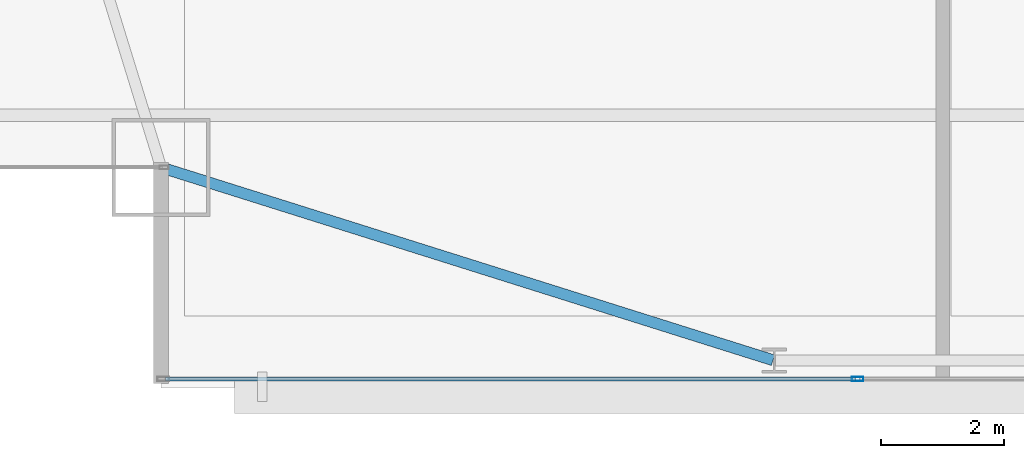
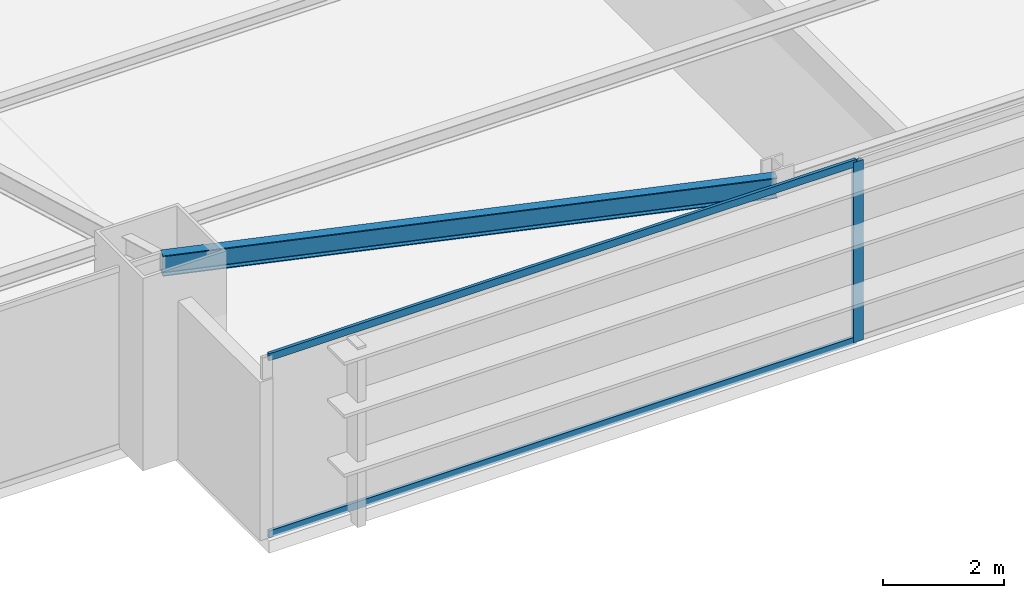
# One storey, part 4 of 35: 3 members, 1 beam, 1 element without a shape of its own.
"""IFC4 building model written with IfcOpenShell, lengths in metres."""

from ifc_helpers import new_model, si_unit, direction, frame, origin, origin_2d, place, context, subcontext, project, spatial, hollow_rectangle, i_section, extrude, source, transform, mapped, material, layer, layer_set, material_profile, profile_set, type_object, type_shapes, element, aggregate, save


model = new_model("IFC4")

# Units and contexts
model_context = context("Model", 3, precision=1e-05, world=origin(), true_north=direction((0.0, 1.0)))
body_context = subcontext(model_context, "Body", "Model", "MODEL_VIEW")
ifc_project = project(units=[si_unit("LENGTHUNIT", "METRE"), si_unit("AREAUNIT", "SQUARE_METRE"), si_unit("VOLUMEUNIT", "CUBIC_METRE"), si_unit("PLANEANGLEUNIT", "RADIAN"), si_unit("MASSUNIT", "GRAM", prefix="KILO")], contexts=[model_context])

# Site, building, storey
site_placement = place(None, origin())
site = spatial("IfcSite", under=ifc_project, at=site_placement, CompositionType="ELEMENT")
building_placement = place(site_placement, origin())
building = spatial("IfcBuilding", under=site, at=building_placement, Name="Varnel Quay Broadcast Tower", CompositionType="ELEMENT")
storey_placement = place(building_placement, frame((0.0, 0.0, 31.5)))
storey = spatial("IfcBuildingStorey", under=building, at=storey_placement, Name="L06", CompositionType="ELEMENT", Elevation=31.5)

# Beam
ifc_material_1 = material(Name="Structural Steel CSA G40.21 350W", Category="steel")
ifc_material_profile_1 = material_profile(ifc_material_1, i_section(OverallWidth=0.180908203125, OverallDepth=0.4169921875, WebThickness=0.010986328125, FlangeThickness=0.018310546875, FilletRadius=0.011962890625, at=origin_2d()), Name="W410X85")
ifc_profile_set_1 = profile_set([ifc_material_profile_1], Name="Structural Steel CSA G40.21 350W")
beam_type = type_object("IfcBeamType", Name="Beam_W410X85", PredefinedType="SPANDREL", material=ifc_profile_set_1)
shared_shape_1 = source(origin(), body_context, "Body", "SweptSolid", [
    extrude(i_section(OverallWidth=0.180908203125, OverallDepth=0.4169921875, WebThickness=0.010986328125, FlangeThickness=0.018310546875, FilletRadius=0.011962890625, at=origin_2d()), origin(), (0.0, 0.0, 1.0), 10.444091796875),
])
type_shapes(beam_type, [shared_shape_1])
beam_placement = place(storey_placement, frame((5.619140625, 4.7939453125, 3.44140625), z_axis=(0.953798277271, -0.300447743003, 0.0), x_axis=(0.300447743003, 0.953798277271, 0.0)))
element("IfcBeam", 1, at=beam_placement, inside=storey, type_object=beam_type, Name="L06 South Spandrel MC-SW-TC-S1", PredefinedType="SPANDREL", context=body_context, shape_type="MappedRepresentation", body=[
    mapped(shared_shape_1, transform((0.0, 0.0, 0.0), x_axis=(1.0, 0.0, 0.0), y_axis=(0.0, 1.0, 0.0), z_axis=(0.0, 0.0, 1.0), scale=1.0)),
])

# Curtain wall, members
ifc_material_2 = material(Name="Anodised Bronze Aluminium 6063-T6", Category="aluminium")
ifc_layer = layer(ifc_material_2, 0.18994140625, Name="Anodised Bronze Aluminium 6063-T6")
ifc_layer_set = layer_set([ifc_layer], Name="Anodised Bronze Aluminium 6063-T6")
curtain_wall_type = type_object("IfcCurtainWallType", Name="CW_LowerTower", PredefinedType="NOTDEFINED", material=ifc_layer_set)
curtain_wall_placement = place(storey_placement, origin())
curtain_wall = element("IfcCurtainWall", 2, at=curtain_wall_placement, inside=storey, type_object=curtain_wall_type, Name="L06 South Unitised Curtain Wall 1", PredefinedType="NOTDEFINED")
ifc_material_profile_2 = material_profile(ifc_material_2, hollow_rectangle(XDim=0.070068359375, YDim=0.18994140625, WallThickness=0.00390625, at=origin_2d()), Name="ALU70X190X4")
ifc_profile_set_2 = profile_set([ifc_material_profile_2], Name="Anodised Bronze Aluminium 6063-T6")
member_type_1 = type_object("IfcMemberType", Name="Mull_CWS-02", PredefinedType="MULLION", material=ifc_profile_set_2)
shared_shape_2 = source(origin(), body_context, "Body", "SweptSolid", [
    extrude(hollow_rectangle(XDim=0.070068359375, YDim=0.18994140625, WallThickness=0.00390625, at=origin_2d()), origin(), (0.0, 0.0, 1.0), 3.64990234375),
])
type_shapes(member_type_1, [shared_shape_2])
member_1_placement = place(storey_placement, frame((16.9599609375, 1.35009765625, 0.0), z_axis=(0.0, 0.0, 1.0), x_axis=(0.0, 1.0, 0.0)))
member_1 = element("IfcMember", 3, at=member_1_placement, type_object=member_type_1, Name="CWS-02 mullion 2", PredefinedType="MULLION", context=body_context, shape_type="MappedRepresentation", body=[
    mapped(shared_shape_2, transform((0.0, 0.0, 0.0), x_axis=(1.0, 0.0, 0.0), y_axis=(0.0, 1.0, 0.0), z_axis=(0.0, 0.0, 1.0), scale=1.0)),
])
ifc_material_profile_3 = material_profile(ifc_material_2, hollow_rectangle(XDim=0.06005859375, YDim=0.14501953125, WallThickness=0.00341796875, at=origin_2d()), Name="ALU60X145X3.5")
ifc_profile_set_3 = profile_set([ifc_material_profile_3], Name="Anodised Bronze Aluminium 6063-T6")
member_type_2 = type_object("IfcMemberType", Name="Tran_CWS-02", PredefinedType="USERDEFINED", material=ifc_profile_set_3)
shared_shape_3 = source(origin(), body_context, "Body", "SweptSolid", [
    extrude(hollow_rectangle(XDim=0.06005859375, YDim=0.14501953125, WallThickness=0.00341796875, at=origin_2d()), origin(), (0.0, 0.0, 1.0), 11.255126953125),
])
type_shapes(member_type_2, [shared_shape_3])
member_2_placement = place(storey_placement, frame((5.669921875, 1.35009765625, 0.030029296875), z_axis=(1.0, 0.0, 0.0), x_axis=(0.0, 1.0, 0.0)))
member_2 = element("IfcMember", 4, at=member_2_placement, type_object=member_type_2, Name="CWS-02 transom 1.1", ObjectType="TRANSOM", PredefinedType="USERDEFINED", context=body_context, shape_type="MappedRepresentation", body=[
    mapped(shared_shape_3, transform((0.0, 0.0, 0.0), x_axis=(1.0, 0.0, 0.0), y_axis=(0.0, 1.0, 0.0), z_axis=(0.0, 0.0, 1.0), scale=1.0)),
])
member_3_placement = place(storey_placement, frame((5.669921875, 1.35009765625, 3.6201171875), z_axis=(1.0, 0.0, 0.0), x_axis=(0.0, 1.0, 0.0)))
member_3 = element("IfcMember", 5, at=member_3_placement, type_object=member_type_2, Name="CWS-02 transom 1.2", ObjectType="TRANSOM", PredefinedType="USERDEFINED", context=body_context, shape_type="MappedRepresentation", body=[
    mapped(shared_shape_3, transform((0.0, 0.0, 0.0), x_axis=(1.0, 0.0, 0.0), y_axis=(0.0, 1.0, 0.0), z_axis=(0.0, 0.0, 1.0), scale=1.0)),
])
aggregate(curtain_wall, [member_1, member_2, member_3])

save(model, "model.ifc")
